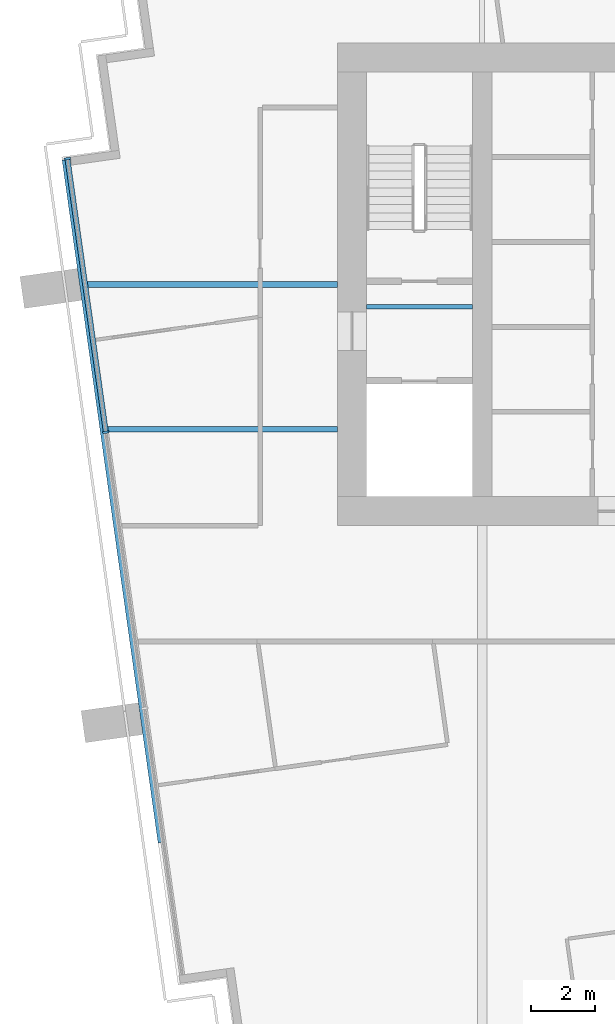
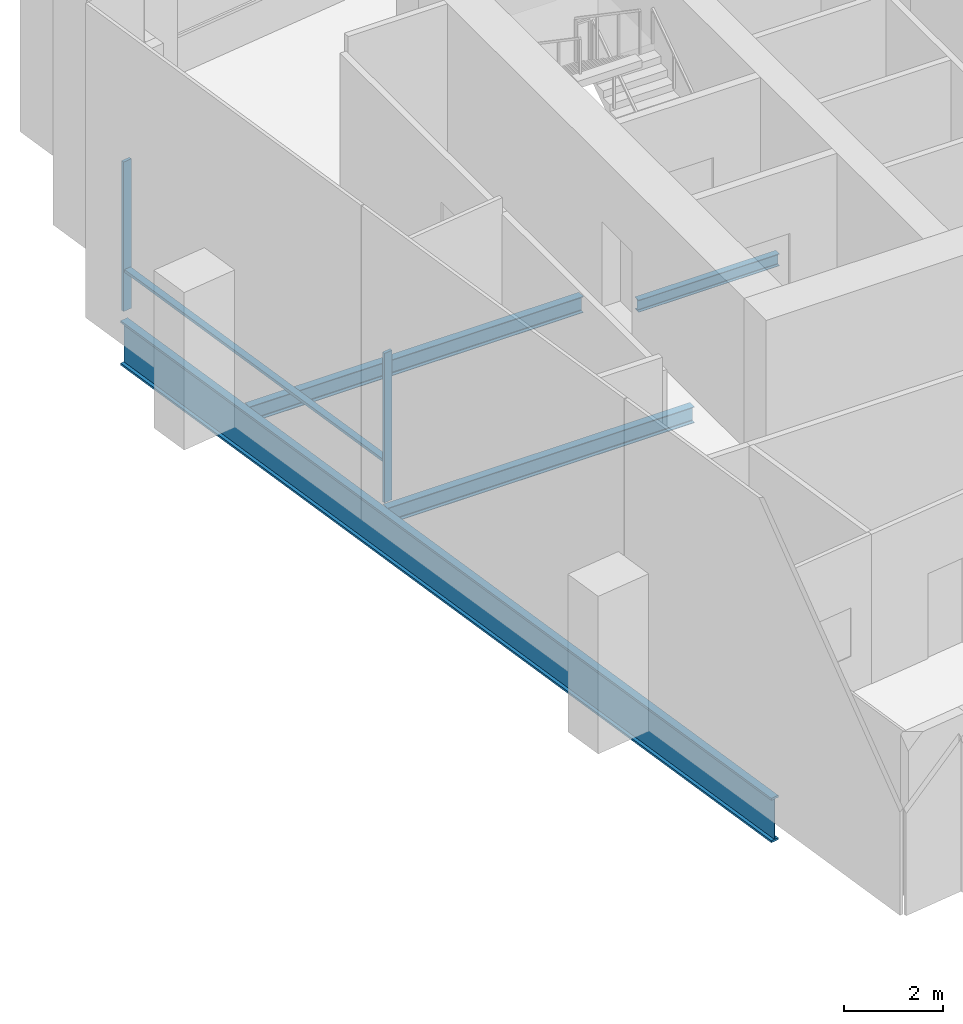
# One storey, part 3 of 15: 4 beams, 3 members, 1 element without a shape of its own.
"""IFC4 building model written with IfcOpenShell, lengths in metres."""

from ifc_helpers import new_model, si_unit, direction, frame, origin, origin_2d, place, context, subcontext, project, spatial, rectangle, i_section, extrude, material, layer, layer_set, material_profile, profile_set, type_object, element, aggregate, save


model = new_model("IFC4")

# Units and contexts
model_context = context("Model", 3, precision=1e-05, world=origin(), true_north=direction((0.0, 1.0)))
body_context = subcontext(model_context, "Body", "Model", "MODEL_VIEW")
ifc_project = project(units=[si_unit("LENGTHUNIT", "METRE"), si_unit("AREAUNIT", "SQUARE_METRE"), si_unit("VOLUMEUNIT", "CUBIC_METRE"), si_unit("PLANEANGLEUNIT", "RADIAN"), si_unit("MASSUNIT", "GRAM", prefix="KILO")], contexts=[model_context])

# Site, building, storey
site_placement = place(None, origin())
site = spatial("IfcSite", under=ifc_project, at=site_placement, CompositionType="ELEMENT")
building_placement = place(site_placement, origin())
building = spatial("IfcBuilding", under=site, at=building_placement, Name="Rattan Terrace Tower", CompositionType="ELEMENT")
storey_placement = place(building_placement, frame((0.0, 0.0, 255.10009765625)))
storey = spatial("IfcBuildingStorey", under=building, at=storey_placement, Name="L58", CompositionType="ELEMENT", Elevation=255.10009765625)

# Beams
ifc_material_1 = material(Name="Steel S460", Category="steel")
ifc_material_profile_1 = material_profile(ifc_material_1, i_section(OverallWidth=0.179931640625, OverallDepth=1.10009765625, WebThickness=0.01611328125, FlangeThickness=0.050048828125, at=origin_2d()), Name="PG 1100x180-16-50")
ifc_profile_set_1 = profile_set([ifc_material_profile_1], Name="Steel S460")
beam_type_1 = type_object("IfcBeamType", Name="Frame edge girder PG 1100x180-16-50", PredefinedType="SPANDREL", material=ifc_profile_set_1)
beam_1_placement = place(storey_placement, frame((-23.485107421875, -17.347900390625, -0.75), z_axis=(-0.139189723544, 0.990265732448, 0.0), x_axis=(-0.990265732448, -0.139189723544, 0.0)))
element("IfcBeam", 1, at=beam_1_placement, inside=storey, type_object=beam_type_1, Name="gdr-L58-003", PredefinedType="SPANDREL", context=body_context, shape_type="SweptSolid", body=[
    extrude(i_section(OverallWidth=0.179931640625, OverallDepth=1.10009765625, WebThickness=0.01611328125, FlangeThickness=0.050048828125, at=origin_2d()), origin(), (0.0, 0.0, 1.0), 21.430419921875),
])
ifc_material_2 = material(Name="Steel S355", Category="steel")
ifc_material_profile_2 = material_profile(ifc_material_2, i_section(OverallWidth=0.14990234375, OverallDepth=0.300048828125, WebThickness=0.007080078125, FlangeThickness=0.0107421875, FilletRadius=0.014892578125, at=origin_2d()), Name="IPE 300")
ifc_profile_set_2 = profile_set([ifc_material_profile_2], Name="Steel S355")
beam_type_2 = type_object("IfcBeamType", Name="Frame floor beam IPE 300", PredefinedType="JOIST", material=ifc_profile_set_2)
beam_2_placement = place(storey_placement, frame((-17.10009765625, -0.695068359375, -0.35009765625), z_axis=(1.0, 0.0, 0.0), x_axis=(0.0, 1.0, 0.0)))
element("IfcBeam", 2, at=beam_2_placement, inside=storey, type_object=beam_type_2, Name="bm-L58-001", PredefinedType="JOIST", context=body_context, shape_type="SweptSolid", body=[
    extrude(i_section(OverallWidth=0.14990234375, OverallDepth=0.300048828125, WebThickness=0.007080078125, FlangeThickness=0.0107421875, FilletRadius=0.014892578125, at=origin_2d()), origin(), (0.0, 0.0, 1.0), 3.300048828125),
])
ifc_material_3 = material(Name="Steel S355", Category="steel")
ifc_material_profile_3 = material_profile(ifc_material_3, i_section(OverallWidth=0.179931640625, OverallDepth=0.39990234375, WebThickness=0.008544921875, FlangeThickness=0.013427734375, FilletRadius=0.02099609375, at=origin_2d()), Name="IPE 400")
ifc_profile_set_3 = profile_set([ifc_material_profile_3], Name="Steel S355")
beam_type_3 = type_object("IfcBeamType", Name="Frame floor beam IPE 400", PredefinedType="JOIST", material=ifc_profile_set_3)
beam_3_placement = place(storey_placement, frame((-25.18701171875, -4.5, -0.400146484375), z_axis=(1.0, 0.0, 0.0), x_axis=(0.0, 1.0, 0.0)))
element("IfcBeam", 3, at=beam_3_placement, inside=storey, type_object=beam_type_3, Name="bm-L58-010", PredefinedType="JOIST", context=body_context, shape_type="SweptSolid", body=[
    extrude(i_section(OverallWidth=0.179931640625, OverallDepth=0.39990234375, WebThickness=0.008544921875, FlangeThickness=0.013427734375, FilletRadius=0.02099609375, at=origin_2d()), origin(), (0.0, 0.0, 1.0), 7.18701171875),
])
beam_4_placement = place(storey_placement, frame((-25.820068359375, 0.0, -0.400146484375), z_axis=(1.0, 0.0, 0.0), x_axis=(0.0, 1.0, 0.0)))
element("IfcBeam", 4, at=beam_4_placement, inside=storey, type_object=beam_type_3, Name="bm-L58-012", PredefinedType="JOIST", context=body_context, shape_type="SweptSolid", body=[
    extrude(i_section(OverallWidth=0.179931640625, OverallDepth=0.39990234375, WebThickness=0.008544921875, FlangeThickness=0.013427734375, FilletRadius=0.02099609375, at=origin_2d()), origin(), (0.0, 0.0, 1.0), 7.820068359375),
])

# Curtain wall, members
ifc_material_4 = material(Name="Aluminium and laminated glass", Category="aluminium")
ifc_layer = layer(ifc_material_4, 0.199951171875)
ifc_layer_set = layer_set([ifc_layer], Name="High-Zone Unitised Curtain Wall")
curtain_wall_type = type_object("IfcCurtainWallType", Name="High-Zone Unitised Curtain Wall", PredefinedType="NOTDEFINED", material=ifc_layer_set)
curtain_wall_placement = place(storey_placement, origin())
curtain_wall = element("IfcCurtainWall", 5, at=curtain_wall_placement, inside=storey, type_object=curtain_wall_type, Name="High-zone curtain wall L58-3", PredefinedType="NOTDEFINED")
ifc_material_5 = material(Name="Aluminium", Category="aluminium")
ifc_material_profile_4 = material_profile(ifc_material_5, rectangle(XDim=0.070068359375, YDim=0.199951171875, at=origin_2d()), Name="Aluminium 70x200")
ifc_profile_set_4 = profile_set([ifc_material_profile_4], Name="Aluminium")
member_type_1 = type_object("IfcMemberType", Name="High-Zone CW Mullion 70x200", PredefinedType="MULLION", material=ifc_profile_set_4)
member_1_placement = place(storey_placement, frame((-26.3916015625, 3.908447265625, 0.0), z_axis=(0.0, 0.0, 1.0), x_axis=(0.139191775431, -0.990265444036, 0.0)))
member_1 = element("IfcMember", 6, at=member_1_placement, type_object=member_type_1, Name="Mullion cwl-L58-003.1", PredefinedType="MULLION", context=body_context, shape_type="SweptSolid", body=[
    extrude(rectangle(XDim=0.070068359375, YDim=0.199951171875, at=origin_2d()), origin(), (0.0, 0.0, 1.0), 3.699951171875),
])
member_2_placement = place(storey_placement, frame((-25.1962890625, -4.594970703125, 0.0), z_axis=(0.0, 0.0, 1.0), x_axis=(0.139191775431, -0.990265444036, 0.0)))
member_2 = element("IfcMember", 7, at=member_2_placement, type_object=member_type_1, Name="Mullion cwl-L58-003.2", PredefinedType="MULLION", context=body_context, shape_type="SweptSolid", body=[
    extrude(rectangle(XDim=0.070068359375, YDim=0.199951171875, at=origin_2d()), origin(), (0.0, 0.0, 1.0), 3.699951171875),
])
ifc_material_6 = material(Name="Aluminium", Category="aluminium")
ifc_material_profile_5 = material_profile(ifc_material_6, rectangle(XDim=0.159912109375, YDim=0.070068359375, at=origin_2d()), Name="Aluminium 160x70")
ifc_profile_set_5 = profile_set([ifc_material_profile_5], Name="Aluminium")
member_type_2 = type_object("IfcMemberType", Name="High-Zone CW Transom 160x70", PredefinedType="USERDEFINED", material=ifc_profile_set_5)
member_3_placement = place(storey_placement, frame((-26.38671875, 3.873779296875, 1.0), z_axis=(0.139197734293, -0.99026460644, 0.0), x_axis=(0.99026460644, 0.139197734293, 0.0)))
member_3 = element("IfcMember", 8, at=member_3_placement, type_object=member_type_2, Name="Transom cwl-L58-003.1", ObjectType="TRANSOM", PredefinedType="USERDEFINED", context=body_context, shape_type="SweptSolid", body=[
    extrude(rectangle(XDim=0.159912109375, YDim=0.070068359375, at=origin_2d()), origin(), (0.0, 0.0, 1.0), 8.51708984375),
])
aggregate(curtain_wall, [member_1, member_2, member_3])

save(model, "model.ifc")
